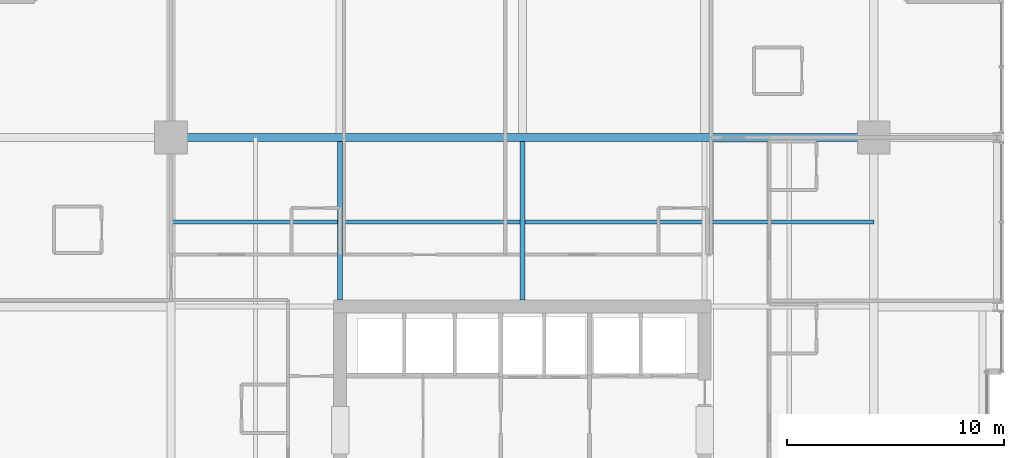
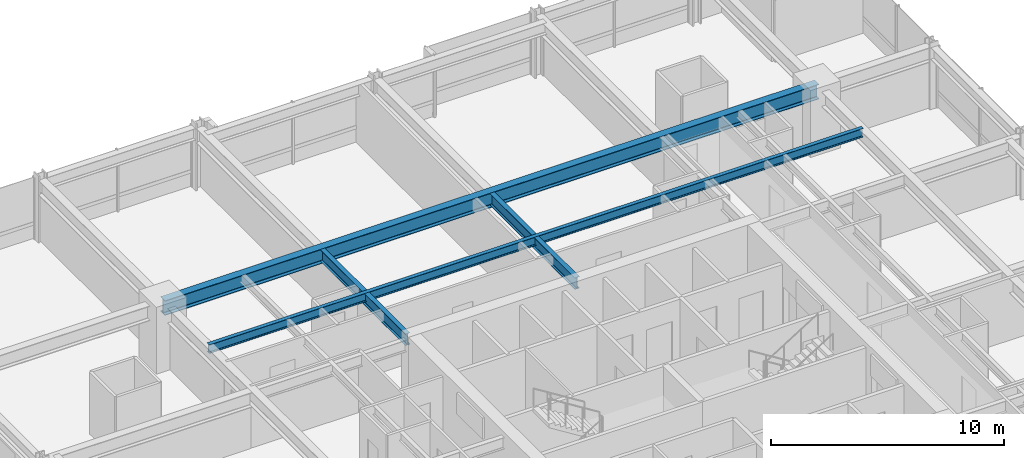
# One storey, part 19 of 34: 4 beams.
"""IFC4 building model written with IfcOpenShell, lengths in metres."""

from ifc_helpers import new_model, si_unit, direction, frame, origin, origin_2d, place, context, subcontext, project, spatial, i_section, extrude, material, material_profile, profile_set, type_object, element, save


model = new_model("IFC4")

# Units and contexts
model_context = context("Model", 3, precision=1e-05, world=origin(), true_north=direction((0.0, 1.0)))
body_context = subcontext(model_context, "Body", "Model", "MODEL_VIEW")
ifc_project = project(units=[si_unit("LENGTHUNIT", "METRE"), si_unit("AREAUNIT", "SQUARE_METRE"), si_unit("VOLUMEUNIT", "CUBIC_METRE"), si_unit("PLANEANGLEUNIT", "RADIAN"), si_unit("MASSUNIT", "GRAM", prefix="KILO")], contexts=[model_context])

# Site, building, storey
site_placement = place(None, origin())
site = spatial("IfcSite", under=ifc_project, at=site_placement, CompositionType="ELEMENT")
building_placement = place(site_placement, origin())
building = spatial("IfcBuilding", under=site, at=building_placement, Name="Drelvath Grand Hotel", CompositionType="ELEMENT")
storey_placement = place(building_placement, frame((0.0, 0.0, 109.300048828125)))
storey = spatial("IfcBuildingStorey", under=building, at=storey_placement, Name="L27", CompositionType="ELEMENT", Elevation=109.300048828125)

# Beams
ifc_material = material(Name="Steel ASTM A992 Gr 50", Category="steel")
ifc_material_profile_1 = material_profile(ifc_material, i_section(OverallWidth=0.19140625, OverallDepth=0.4599609375, WebThickness=0.010009765625, FlangeThickness=0.01611328125, FilletRadius=0.01611328125, at=origin_2d()), Name="W18X55")
ifc_profile_set_1 = profile_set([ifc_material_profile_1], Name="Steel ASTM A992 Gr 50")
beam_type_1 = type_object("IfcBeamType", Name="Composite Floor Joist W18X55", PredefinedType="JOIST", material=ifc_profile_set_1)
beam_1_placement = place(storey_placement, frame((-16.199951171875, 39.300048828125, 3.010009765625), z_axis=(1.0, 0.0, 0.0), x_axis=(0.0, 1.0, 0.0)))
element("IfcBeam", 1, at=beam_1_placement, inside=storey, type_object=beam_type_1, Name="L27 Floor Joist J2", PredefinedType="JOIST", context=body_context, shape_type="SweptSolid", body=[
    extrude(i_section(OverallWidth=0.19140625, OverallDepth=0.4599609375, WebThickness=0.010009765625, FlangeThickness=0.01611328125, FilletRadius=0.01611328125, at=origin_2d()), origin(), (0.0, 0.0, 1.0), 32.39990234375),
])
ifc_material_profile_2 = material_profile(ifc_material, i_section(OverallWidth=0.228271484375, OverallDepth=0.607666015625, WebThickness=0.01123046875, FlangeThickness=0.017333984375, FilletRadius=0.02001953125, at=origin_2d()), Name="W24X76")
ifc_profile_set_2 = profile_set([ifc_material_profile_2], Name="Steel ASTM A992 Gr 50")
beam_type_2 = type_object("IfcBeamType", Name="Primary Floor Girder W24X76", PredefinedType="BEAM", material=ifc_profile_set_2)
for number, where, z_axis, x_axis, name in (
    (2, (-8.39990234375, 35.699951171875, 2.93603515625), (0.0, 1.0, 0.0), (-1.0, 0.0, 0.0), "L27 North Core Tie 4"),
    (3, (0.0, 35.699951171875, 2.93603515625), (0.0, 1.0, 0.0), (-1.0, 0.0, 0.0), "L27 North Core Tie 5"),
):
    element("IfcBeam", number, at=place(storey_placement, frame(where, z_axis=z_axis, x_axis=x_axis)), inside=storey, type_object=beam_type_2, Name=name, PredefinedType="BEAM", context=body_context, shape_type="SweptSolid", body=[
        extrude(i_section(OverallWidth=0.228271484375, OverallDepth=0.607666015625, WebThickness=0.01123046875, FlangeThickness=0.017333984375, FilletRadius=0.02001953125, at=origin_2d()), origin(), (0.0, 0.0, 1.0), 7.309814453125),
    ])
ifc_material_profile_3 = material_profile(ifc_material, i_section(OverallWidth=0.380615234375, OverallDepth=0.773193359375, WebThickness=0.0166015625, FlangeThickness=0.027099609375, FilletRadius=0.02490234375, at=origin_2d()), Name="W30X173")
ifc_profile_set_3 = profile_set([ifc_material_profile_3], Name="Steel ASTM A992 Gr 50")
beam_type_3 = type_object("IfcBeamType", Name="Primary Floor Girder W30X173", PredefinedType="BEAM", material=ifc_profile_set_3)
beam_2_placement = place(storey_placement, frame((-16.199951171875, 43.199951171875, 2.853271484375), z_axis=(1.0, 0.0, 0.0), x_axis=(0.0, 1.0, 0.0)))
element("IfcBeam", 4, at=beam_2_placement, inside=storey, type_object=beam_type_3, Name="L27 Mega Ring Girder North", PredefinedType="BEAM", context=body_context, shape_type="SweptSolid", body=[
    extrude(i_section(OverallWidth=0.380615234375, OverallDepth=0.773193359375, WebThickness=0.0166015625, FlangeThickness=0.027099609375, FilletRadius=0.02490234375, at=origin_2d()), origin(), (0.0, 0.0, 1.0), 32.39990234375),
])

save(model, "model.ifc")
